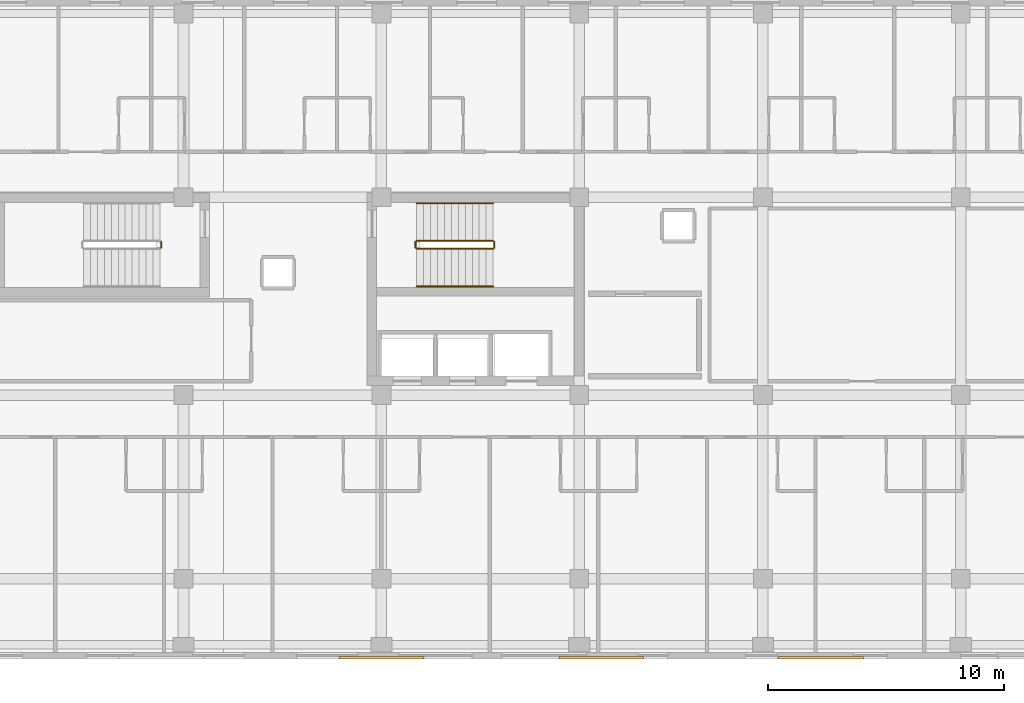
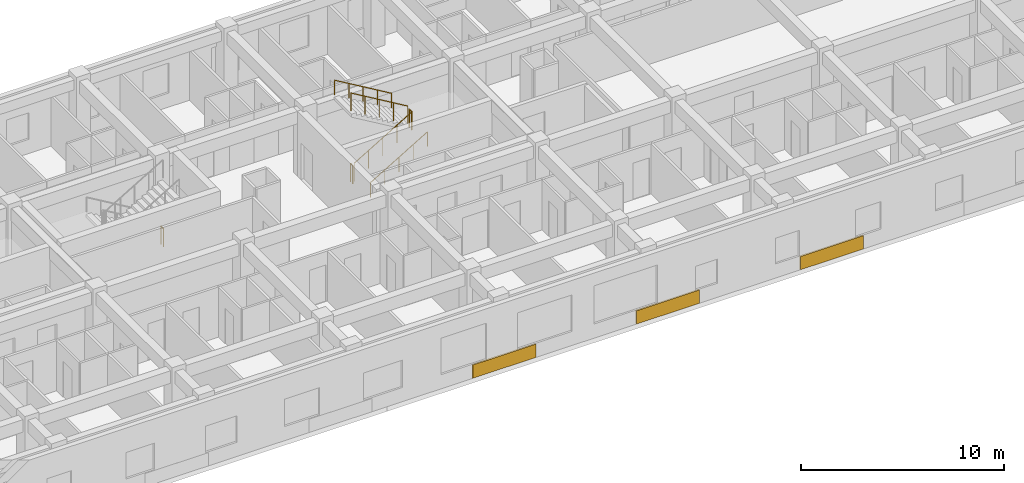
# One storey, part 118 of 123: 7 railings, 3 coverings.
"""IFC4 building model written with IfcOpenShell, lengths in metres."""

from ifc_helpers import new_model, si_unit, direction, frame, origin, origin_2d, place, context, subcontext, project, spatial, rectangle, circle, extrude, material, layer, layer_set, type_object, element, save


model = new_model("IFC4")

# Units and contexts
model_context = context("Model", 3, precision=1e-05, world=origin(), true_north=direction((0.0, 1.0)))
body_context = subcontext(model_context, "Body", "Model", "MODEL_VIEW")
ifc_project = project(units=[si_unit("LENGTHUNIT", "METRE"), si_unit("AREAUNIT", "SQUARE_METRE"), si_unit("VOLUMEUNIT", "CUBIC_METRE"), si_unit("PLANEANGLEUNIT", "RADIAN"), si_unit("MASSUNIT", "GRAM", prefix="KILO")], contexts=[model_context])

# Site, building, storey
site_placement = place(None, origin())
site = spatial("IfcSite", under=ifc_project, at=site_placement, CompositionType="ELEMENT")
building_placement = place(site_placement, origin())
building = spatial("IfcBuilding", under=site, at=building_placement, Name="Zayran Congress Hotel", CompositionType="ELEMENT")
storey_placement = place(building_placement, frame((0.0, 0.0, 15.0)))
storey = spatial("IfcBuildingStorey", under=building, at=storey_placement, Name="L03", CompositionType="ELEMENT", Elevation=15.0)

# Coverings
ifc_material_1 = material(Name="Ochre geometric bas-relief Hajar Ma'ani stone", Category="masonry")
ifc_layer = layer(ifc_material_1, 0.090087890625)
ifc_layer_set = layer_set([ifc_layer], Name="Ochre geometric bas-relief Hajar Ma'ani stone")
covering_type = type_object("IfcCoveringType", Name="TP-CLD-01", PredefinedType="CLADDING", material=ifc_layer_set)
for number, where, z_axis, x_axis, name in (
    (1, (50.39990234375, 6.044921875, 0.0), (0.0, 0.0, 1.0), (1.0, 0.0, 0.0), "CLD-V5S-L03-4"),
    (2, (59.73291015625, 6.044921875, 0.0), (0.0, 0.0, 1.0), (1.0, 0.0, 0.0), "CLD-V5S-L03-5"),
    (3, (69.06689453125, 6.044921875, 0.0), (0.0, 0.0, 1.0), (1.0, 0.0, 0.0), "CLD-V5S-L03-6"),
):
    element("IfcCovering", number, at=place(storey_placement, frame(where, z_axis=z_axis, x_axis=x_axis)), inside=storey, type_object=covering_type, Name=name, PredefinedType="CLADDING", context=body_context, shape_type="SweptSolid", body=[
        extrude(rectangle(XDim=3.60009765625, YDim=0.090087890625, at=origin_2d()), origin(), (0.0, 0.0, 1.0), 0.800048828125),
    ])

# Railings
ifc_material_2 = material(Name="Painted steel balustrade", Category="steel")
railing_type_1 = type_object("IfcRailingType", Name="TP-GRD-INT", PredefinedType="GUARDRAIL", material=ifc_material_2)
railing_1_placement = place(storey_placement, frame((51.89990234375, 23.409912109375, 0.175048828125)))
element("IfcRailing", 4, at=railing_1_placement, inside=storey, type_object=railing_type_1, Name="L03 ST-02 stair guard 1", PredefinedType="GUARDRAIL", context=body_context, shape_type="SweptSolid", body=[
    extrude(circle(Radius=0.02392578125, at=origin_2d()), frame((0.0, 0.0, 1.076171875), z_axis=(0.860057060016, 0.0, 0.510197857224), x_axis=(0.0, 1.0, 0.0)), (0.0, 0.0, 1.0), 3.773193359375),
    extrude(circle(Radius=0.02099609375, at=origin_2d()), origin(), (0.0, 0.0, 1.0), 1.052001953125),
    extrude(circle(Radius=0.02099609375, at=origin_2d()), frame((0.811279296875, 0.0, 0.481201171875)), (0.0, 0.0, 1.0), 1.052001953125),
    extrude(circle(Radius=0.02099609375, at=origin_2d()), frame((1.62255859375, 0.0, 0.96240234375)), (0.0, 0.0, 1.0), 1.052001953125),
    extrude(circle(Radius=0.02099609375, at=origin_2d()), frame((2.433837890625, 0.0, 1.44384765625)), (0.0, 0.0, 1.0), 1.052001953125),
    extrude(circle(Radius=0.02099609375, at=origin_2d()), frame((3.2451171875, 0.0, 1.925048828125)), (0.0, 0.0, 1.0), 1.052001953125),
])
railing_2_placement = place(storey_placement, frame((55.195068359375, 23.4599609375, 2.10009765625)))
element("IfcRailing", 5, at=railing_2_placement, inside=storey, type_object=railing_type_1, Name="L03 ST-02 stair guard 2", PredefinedType="GUARDRAIL", context=body_context, shape_type="SweptSolid", body=[
    extrude(circle(Radius=0.02392578125, at=origin_2d()), frame((0.0, 0.0, 1.076171875), z_axis=(0.0, 1.0, 0.0), x_axis=(-1.0, 0.0, 0.0)), (0.0, 0.0, 1.0), 0.239990234375),
    extrude(circle(Radius=0.02099609375, at=origin_2d()), origin(), (0.0, 0.0, 1.0), 1.052001953125),
    extrude(circle(Radius=0.02099609375, at=origin_2d()), frame((0.0, 0.239990234375, 0.0)), (0.0, 0.0, 1.0), 1.052001953125),
])
railing_3_placement = place(storey_placement, frame((55.14501953125, 23.75, 2.27490234375)))
element("IfcRailing", 6, at=railing_3_placement, inside=storey, type_object=railing_type_1, Name="L03 ST-02 stair guard 3", PredefinedType="GUARDRAIL", context=body_context, shape_type="SweptSolid", body=[
    extrude(circle(Radius=0.02392578125, at=origin_2d()), frame((0.0, 0.0, 1.076171875), z_axis=(-0.860057060016, 0.0, 0.510197857224), x_axis=(0.0, -1.0, 0.0)), (0.0, 0.0, 1.0), 3.773193359375),
    extrude(circle(Radius=0.02099609375, at=origin_2d()), origin(), (0.0, 0.0, 1.0), 1.052001953125),
    extrude(circle(Radius=0.02099609375, at=origin_2d()), frame((-0.811279296875, 0.0, 0.481201171875)), (0.0, 0.0, 1.0), 1.052001953125),
    extrude(circle(Radius=0.02099609375, at=origin_2d()), frame((-1.62255859375, 0.0, 0.96240234375)), (0.0, 0.0, 1.0), 1.052001953125),
    extrude(circle(Radius=0.02099609375, at=origin_2d()), frame((-2.433837890625, 0.0, 1.44384765625)), (0.0, 0.0, 1.0), 1.052001953125),
    extrude(circle(Radius=0.02099609375, at=origin_2d()), frame((-3.2451171875, 0.0, 1.925048828125)), (0.0, 0.0, 1.0), 1.052001953125),
])
railing_4_placement = place(storey_placement, frame((51.85009765625, 23.4599609375, 0.0)))
element("IfcRailing", 7, at=railing_4_placement, inside=storey, type_object=railing_type_1, Name="L03 ST-02 stair guard 4", PredefinedType="GUARDRAIL", context=body_context, shape_type="SweptSolid", body=[
    extrude(circle(Radius=0.02392578125, at=origin_2d()), frame((0.0, 0.0, 1.076171875), z_axis=(0.0, 1.0, 0.0), x_axis=(-1.0, 0.0, 0.0)), (0.0, 0.0, 1.0), 0.239990234375),
    extrude(circle(Radius=0.02099609375, at=origin_2d()), origin(), (0.0, 0.0, 1.0), 1.052001953125),
    extrude(circle(Radius=0.02099609375, at=origin_2d()), frame((0.0, 0.239990234375, 0.0)), (0.0, 0.0, 1.0), 1.052001953125),
])
railing_5_placement = place(storey_placement, frame((41.050048828125, 23.699951171875, 0.0)))
element("IfcRailing", 8, at=railing_5_placement, inside=storey, type_object=railing_type_1, Name="L03 ST-13 stair guard 4", PredefinedType="GUARDRAIL", context=body_context, shape_type="SweptSolid", body=[
    extrude(circle(Radius=0.02392578125, at=origin_2d()), frame((0.0, 0.0, 1.076171875), z_axis=(0.0, -1.0, 0.0), x_axis=(1.0, 0.0, 0.0)), (0.0, 0.0, 1.0), 0.239990234375),
    extrude(circle(Radius=0.02099609375, at=origin_2d()), origin(), (0.0, 0.0, 1.0), 1.052001953125),
    extrude(circle(Radius=0.02099609375, at=origin_2d()), frame((0.0, -0.239990234375, 0.0)), (0.0, 0.0, 1.0), 1.052001953125),
])
ifc_material_3 = material(Name="Brushed stainless steel handrail", Category="steel")
railing_type_2 = type_object("IfcRailingType", Name="TP-HND-STR", PredefinedType="HANDRAIL", material=ifc_material_3)
railing_6_placement = place(storey_placement, frame((51.89990234375, 21.81005859375, 0.175048828125)))
element("IfcRailing", 9, at=railing_6_placement, inside=storey, type_object=railing_type_2, Name="L03 ST-02 stair handrail 1", PredefinedType="HANDRAIL", context=body_context, shape_type="SweptSolid", body=[
    extrude(circle(Radius=0.02392578125, at=origin_2d()), frame((0.0, 0.0, 0.8759765625), z_axis=(0.860057060016, 0.0, 0.510197857224), x_axis=(0.0, 1.0, 0.0)), (0.0, 0.0, 1.0), 3.773193359375),
    extrude(circle(Radius=0.02099609375, at=origin_2d()), origin(), (0.0, 0.0, 1.0), 0.851806640625),
    extrude(circle(Radius=0.02099609375, at=origin_2d()), frame((0.811279296875, 0.0, 0.481201171875)), (0.0, 0.0, 1.0), 0.851806640625),
    extrude(circle(Radius=0.02099609375, at=origin_2d()), frame((1.62255859375, 0.0, 0.96240234375)), (0.0, 0.0, 1.0), 0.851806640625),
    extrude(circle(Radius=0.02099609375, at=origin_2d()), frame((2.433837890625, 0.0, 1.44384765625)), (0.0, 0.0, 1.0), 0.851806640625),
    extrude(circle(Radius=0.02099609375, at=origin_2d()), frame((3.2451171875, 0.0, 1.925048828125)), (0.0, 0.0, 1.0), 0.851806640625),
])
railing_7_placement = place(storey_placement, frame((55.14501953125, 25.35009765625, 2.27490234375)))
element("IfcRailing", 10, at=railing_7_placement, inside=storey, type_object=railing_type_2, Name="L03 ST-02 stair handrail 2", PredefinedType="HANDRAIL", context=body_context, shape_type="SweptSolid", body=[
    extrude(circle(Radius=0.02392578125, at=origin_2d()), frame((0.0, 0.0, 0.8759765625), z_axis=(-0.860057060016, 0.0, 0.510197857224), x_axis=(0.0, -1.0, 0.0)), (0.0, 0.0, 1.0), 3.773193359375),
    extrude(circle(Radius=0.02099609375, at=origin_2d()), origin(), (0.0, 0.0, 1.0), 0.851806640625),
    extrude(circle(Radius=0.02099609375, at=origin_2d()), frame((-0.811279296875, 0.0, 0.481201171875)), (0.0, 0.0, 1.0), 0.851806640625),
    extrude(circle(Radius=0.02099609375, at=origin_2d()), frame((-1.62255859375, 0.0, 0.96240234375)), (0.0, 0.0, 1.0), 0.851806640625),
    extrude(circle(Radius=0.02099609375, at=origin_2d()), frame((-2.433837890625, 0.0, 1.44384765625)), (0.0, 0.0, 1.0), 0.851806640625),
    extrude(circle(Radius=0.02099609375, at=origin_2d()), frame((-3.2451171875, 0.0, 1.925048828125)), (0.0, 0.0, 1.0), 0.851806640625),
])

save(model, "model.ifc")
